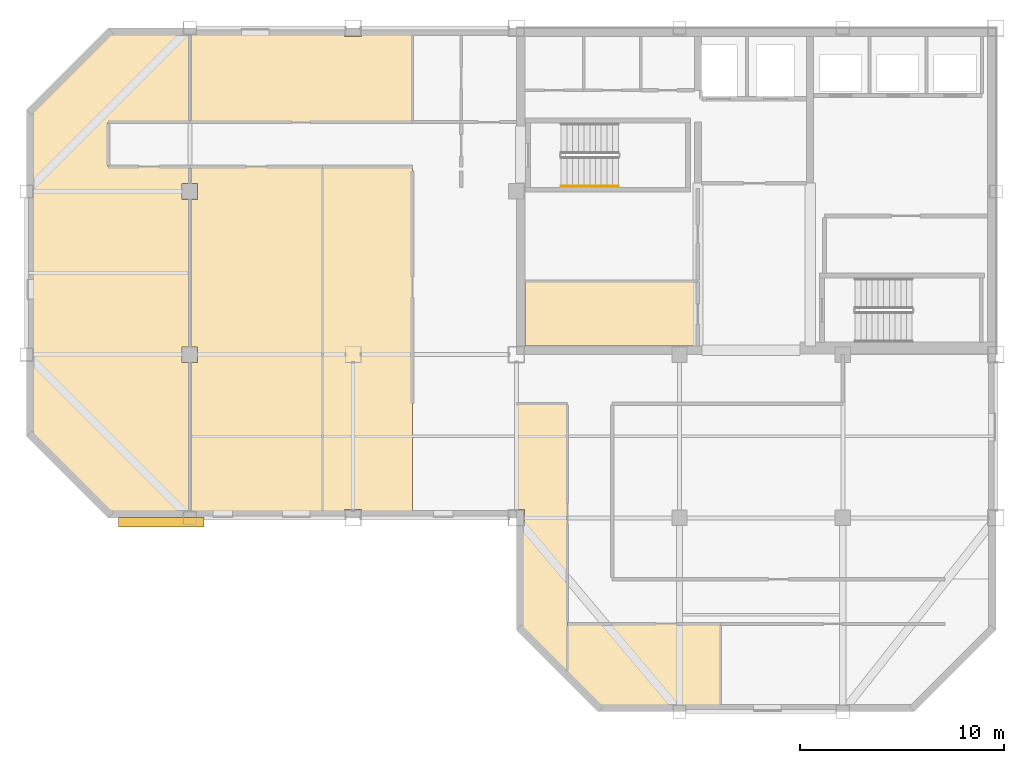
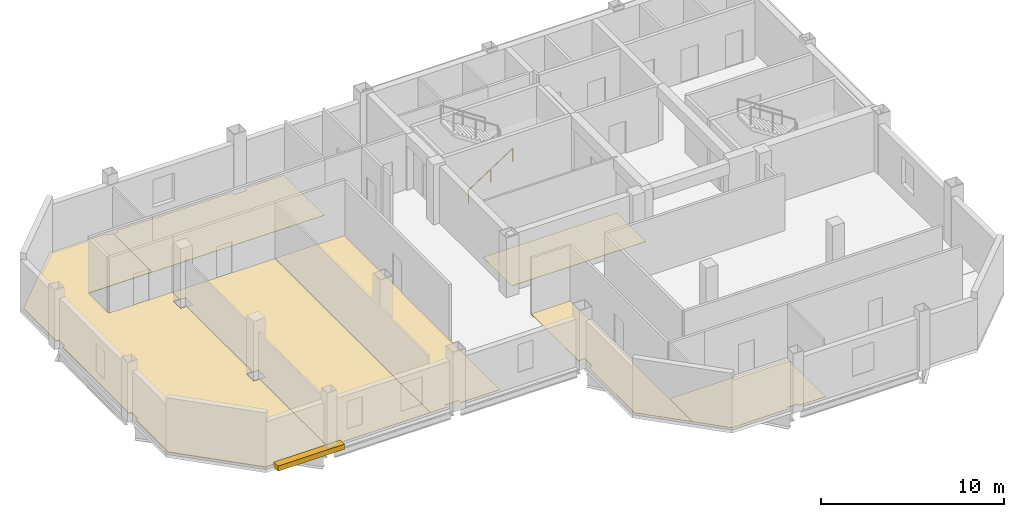
# One storey, part 5 of 6: 7 coverings, 1 railing, 1 shading device.
"""IFC4 building model written with IfcOpenShell, lengths in metres."""

from ifc_helpers import new_model, si_unit, direction, frame, origin, origin_2d, place, context, subcontext, project, spatial, polyline, rectangle, circle, outline, extrude, material, layer, layer_set, type_object, element, save


model = new_model("IFC4")

# Units and contexts
model_context = context("Model", 3, precision=1e-05, world=origin(), true_north=direction((0.0, 1.0)))
body_context = subcontext(model_context, "Body", "Model", "MODEL_VIEW")
ifc_project = project(units=[si_unit("LENGTHUNIT", "METRE"), si_unit("AREAUNIT", "SQUARE_METRE"), si_unit("VOLUMEUNIT", "CUBIC_METRE"), si_unit("PLANEANGLEUNIT", "RADIAN"), si_unit("MASSUNIT", "GRAM", prefix="KILO")], contexts=[model_context])

# Site, building, storey
site_placement = place(None, origin())
site = spatial("IfcSite", under=ifc_project, at=site_placement, CompositionType="ELEMENT")
building_placement = place(site_placement, origin())
building = spatial("IfcBuilding", under=site, at=building_placement, Name="Qianrong Seaharbour Tower", CompositionType="ELEMENT")
storey_placement = place(building_placement, frame((0.0, 0.0, 319.199951171875)))
storey = spatial("IfcBuildingStorey", under=building, at=storey_placement, Name="L77", CompositionType="ELEMENT", Elevation=319.199951171875)

# Coverings
ifc_material_1 = material(Name="Acoustic modular carpet tile flooring")
ifc_layer_1 = layer(ifc_material_1, 0.02001953125)
ifc_layer_set_1 = layer_set([ifc_layer_1], Name="Acoustic modular carpet tile flooring")
covering_type_1 = type_object("IfcCoveringType", Name="COV-FLOOR-CARPET-20", PredefinedType="FLOORING", material=ifc_layer_set_1)
covering_1_placement = place(storey_placement, origin())
element("IfcCovering", 1, at=covering_1_placement, inside=storey, type_object=covering_type_1, Name="L77 Wellness Room Finish Flooring", PredefinedType="FLOORING", context=body_context, shape_type="SweptSolid", body=[
    extrude(outline(polyline([(49.39990234375, 39.60009765625), (49.39990234375, 36.419921875), (40.919921875, 36.419921875), (40.919921875, 39.60009765625), (49.39990234375, 39.60009765625)])), origin(), (0.0, 0.0, 1.0), 0.02001953125),
])
covering_2_placement = place(storey_placement, origin())
element("IfcCovering", 2, at=covering_2_placement, inside=storey, type_object=covering_type_1, Name="L77 Corporate Archive Room Finish Flooring", PredefinedType="FLOORING", context=body_context, shape_type="SweptSolid", body=[
    extrude(outline(polyline([(24.5, 51.6650390625), (24.8349609375, 51.6650390625), (24.8349609375, 51.824951171875), (32.090087890625, 51.824951171875), (32.090087890625, 51.590087890625), (32.909912109375, 51.590087890625), (32.909912109375, 51.824951171875), (35.39990234375, 51.824951171875), (35.39990234375, 47.39990234375), (24.5, 47.39990234375), (24.5, 51.6650390625)])), origin(), (0.0, 0.0, 1.0), 0.02001953125),
])
covering_3_placement = place(storey_placement, origin())
element("IfcCovering", 3, at=covering_3_placement, inside=storey, type_object=covering_type_1, Name="L77 Project Library 1 Finish Flooring", PredefinedType="FLOORING", context=body_context, shape_type="SweptSolid", body=[
    extrude(outline(polyline([(24.8349609375, 28.175048828125), (24.8349609375, 28.3349609375), (24.5, 28.3349609375), (24.5, 35.614990234375), (24.885009765625, 35.614990234375), (24.885009765625, 36.385009765625), (24.5, 36.385009765625), (24.5, 43.614990234375), (24.885009765625, 43.614990234375), (24.885009765625, 44.385009765625), (24.5, 44.385009765625), (24.5, 45.199951171875), (31.0, 45.199951171875), (31.0, 28.175048828125), (24.8349609375, 28.175048828125)])), origin(), (0.0, 0.0, 1.0), 0.02001953125),
])
covering_4_placement = place(storey_placement, origin())
element("IfcCovering", 4, at=covering_4_placement, inside=storey, type_object=covering_type_1, Name="L77 Digital Media Hall 2 Finish Flooring", PredefinedType="FLOORING", context=body_context, shape_type="SweptSolid", body=[
    extrude(outline(polyline([(32.909912109375, 28.175048828125), (32.909912109375, 28.409912109375), (32.090087890625, 28.409912109375), (32.090087890625, 28.175048828125), (31.0, 28.175048828125), (31.0, 45.199951171875), (35.39990234375, 45.199951171875), (35.39990234375, 28.175048828125), (32.909912109375, 28.175048828125)])), origin(), (0.0, 0.0, 1.0), 0.02001953125),
])
covering_5_placement = place(storey_placement, origin())
element("IfcCovering", 5, at=covering_5_placement, inside=storey, type_object=covering_type_1, Name="L77 Wet Pantry Finish Flooring", PredefinedType="FLOORING", context=body_context, shape_type="SweptSolid", body=[
    extrude(outline(polyline([(43.0, 20.24755859375), (40.675048828125, 22.572509765625), (40.675048828125, 27.590087890625), (40.909912109375, 27.590087890625), (40.909912109375, 28.409912109375), (40.5, 28.409912109375), (40.5, 33.60009765625), (43.0, 33.60009765625), (43.0, 20.24755859375)])), origin(), (0.0, 0.0, 1.0), 0.02001953125),
])
covering_6_placement = place(storey_placement, origin())
element("IfcCovering", 6, at=covering_6_placement, inside=storey, type_object=covering_type_1, Name="L77 Harbour Symposium Hall 1 Finish Flooring", PredefinedType="FLOORING", context=body_context, shape_type="SweptSolid", body=[
    extrude(outline(polyline([(50.5, 18.675048828125), (48.8349609375, 18.675048828125), (48.8349609375, 18.8349609375), (48.1650390625, 18.8349609375), (48.1650390625, 18.675048828125), (44.572509765625, 18.675048828125), (43.0, 20.24755859375), (43.0, 22.800048828125), (50.5, 22.800048828125), (50.5, 18.675048828125)])), origin(), (0.0, 0.0, 1.0), 0.02001953125),
])
ifc_material_2 = material(Name="Calcium-sulphate raised access floor tile")
ifc_layer_2 = layer(ifc_material_2, 0.044921875)
ifc_layer_set_2 = layer_set([ifc_layer_2], Name="Calcium-sulphate raised access floor tile")
covering_type_2 = type_object("IfcCoveringType", Name="COV-FLOOR-RAISED-45", PredefinedType="FLOORING", material=ifc_layer_set_2)
covering_7_placement = place(storey_placement, origin())
element("IfcCovering", 7, at=covering_7_placement, inside=storey, type_object=covering_type_2, Name="L77 West Harbour Open-Plan Office Finish Flooring", PredefinedType="FLOORING", context=body_context, shape_type="SweptSolid", body=[
    extrude(outline(polyline([(16.675048828125, 32.072509765625), (16.675048828125, 35.6650390625), (16.8349609375, 35.6650390625), (16.8349609375, 36.3349609375), (16.675048828125, 36.3349609375), (16.675048828125, 43.6650390625), (16.8349609375, 43.6650390625), (16.8349609375, 44.3349609375), (16.675048828125, 44.3349609375), (16.675048828125, 47.927490234375), (20.572509765625, 51.824951171875), (24.1650390625, 51.824951171875), (24.1650390625, 51.6650390625), (24.5, 51.6650390625), (24.5, 47.39990234375), (20.5, 47.39990234375), (20.5, 45.199951171875), (24.5, 45.199951171875), (24.5, 44.385009765625), (24.114990234375, 44.385009765625), (24.114990234375, 43.614990234375), (24.5, 43.614990234375), (24.5, 36.385009765625), (24.114990234375, 36.385009765625), (24.114990234375, 35.614990234375), (24.5, 35.614990234375), (24.5, 28.3349609375), (24.1650390625, 28.3349609375), (24.1650390625, 28.175048828125), (20.572509765625, 28.175048828125), (16.675048828125, 32.072509765625)])), origin(), (0.0, 0.0, 1.0), 0.045166015625),
])

# Railing
ifc_material_3 = material(Name="Stainless steel SUS316L continuous handrail", Category="steel")
railing_type = type_object("IfcRailingType", Name="RAIL-STAIR-HANDRAIL-900", PredefinedType="HANDRAIL", material=ifc_material_3)
railing_placement = place(storey_placement, frame((42.699951171875, 44.25, 0.181884765625)))
element("IfcRailing", 8, at=railing_placement, inside=storey, type_object=railing_type, Name="L77 ST-1 stair handrail 1", PredefinedType="HANDRAIL", context=body_context, shape_type="SweptSolid", body=[
    extrude(circle(Radius=0.02392578125, at=origin_2d()), frame((0.0, 0.0, 0.8759765625), z_axis=(0.838705829183, 0.0, 0.544584733623), x_axis=(0.0, 1.0, 0.0)), (0.0, 0.0, 1.0), 3.338623046875),
    extrude(circle(Radius=0.02099609375, at=origin_2d()), origin(), (0.0, 0.0, 1.0), 0.851806640625),
    extrude(circle(Radius=0.02099609375, at=origin_2d()), frame((1.39990234375, 0.0, 0.9091796875)), (0.0, 0.0, 1.0), 0.851806640625),
    extrude(circle(Radius=0.02099609375, at=origin_2d()), frame((2.800048828125, 0.0, 1.818115234375)), (0.0, 0.0, 1.0), 0.851806640625),
])

# Shading device
ifc_material_4 = material(Name="White architectural precast concrete C45/55", Category="concrete")
shading_device_type = type_object("IfcShadingDeviceType", Name="SHD-SUNSHADE-WHITE-320", PredefinedType="AWNING", material=ifc_material_4)
shading_device_placement = place(storey_placement, frame((23.10009765625, 27.780029296875, -0.02001953125), z_axis=(0.0, 0.0, 1.0), x_axis=(1.0, 0.0, 0.0)))
element("IfcShadingDevice", 9, at=shading_device_placement, inside=storey, type_object=shading_device_type, Name="L77 Climbing White Precast Ribbon Canopy Fin", PredefinedType="AWNING", context=body_context, shape_type="SweptSolid", body=[
    extrude(rectangle(XDim=4.199951171875, YDim=0.4599609375, at=origin_2d()), origin(), (0.0, 0.0, 1.0), 0.340087890625),
])

save(model, "model.ifc")
